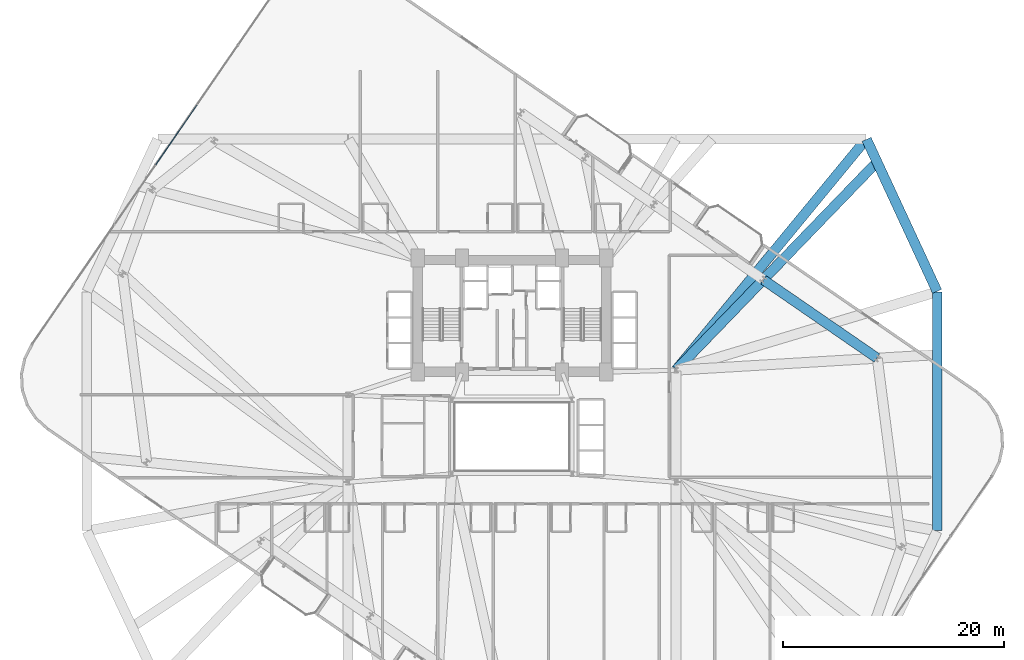
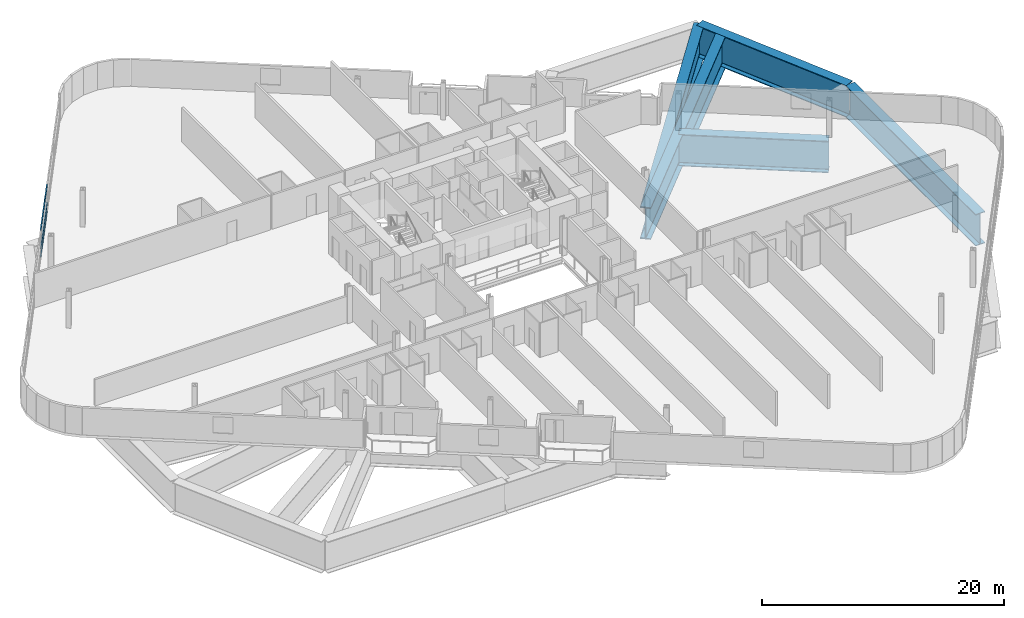
# One storey, part 13 of 26: 5 beams, 3 members, 1 element without a shape of its own.
"""IFC4 building model written with IfcOpenShell, lengths in metres."""

import ifcopenshell
import ifcopenshell.guid

model = None  # the IFC model being written
_history = None  # IfcOwnerHistory: only IFC2X3 demands one
_inside = {}  # id of a spatial element -> (the spatial element, [elements in it])
_under = {}  # id of a project, library or spatial element -> (it, [spatial elements below it])
_declared = {}  # id of a project -> (the project, [libraries it declares])
_typed = {}  # id of a type object -> (the type object, [elements of that type])
_made_of = {}  # id of a material, layer set ... -> (it, [elements and type objects made of it])


def new_model(schema):
    """Start an empty IFC model of exactly this schema.

    Asked for "IFC4X3", IfcOpenShell would pick the latest addendum, in which some entities
    have other attributes; the version numbers below select the first issue.
    IFC2X3 requires an IfcOwnerHistory on every rooted entity: one is made here for all.
    """
    global model, _history
    if schema == "IFC4X3":
        model = ifcopenshell.file(schema_version=(4, 3, 0, 0))
    else:
        model = ifcopenshell.file(schema=schema)
    _inside.clear()
    _under.clear()
    _declared.clear()
    _typed.clear()
    _made_of.clear()
    _history = None
    if model.schema == "IFC2X3":
        org = make("IfcOrganization", Name="unknown")
        user = make(
            "IfcPersonAndOrganization",
            ThePerson=make("IfcPerson", FamilyName="unknown"),
            TheOrganization=org,
        )
        app = make(
            "IfcApplication",
            ApplicationDeveloper=org,
            Version="unknown",
            ApplicationFullName="unknown",
            ApplicationIdentifier="unknown",
        )
        _history = make(
            "IfcOwnerHistory",
            OwningUser=user,
            OwningApplication=app,
            ChangeAction="ADDED",
            CreationDate=0,
        )
    return model


def make(cls, **values):
    """One entity of the class cls with the attributes given. An attribute that is None is left unset."""
    return model.create_entity(
        cls, **{name: value for name, value in values.items() if value is not None}
    )


def rooted(cls, **values):
    """An entity with a GlobalId (a new one), such as an element, a storey or a relation."""
    return make(cls, GlobalId=ifcopenshell.guid.new(), OwnerHistory=_history, **values)


def si_unit(unit_type, name, prefix=None):
    """IfcSIUnit, for example si_unit("LENGTHUNIT", "METRE", prefix="MILLI")."""
    return make("IfcSIUnit", UnitType=unit_type, Prefix=prefix, Name=name)


def assignment(units):
    """IfcUnitAssignment: the units of a project."""
    return None if units is None else make("IfcUnitAssignment", Units=units)


def point(xyz):
    """IfcCartesianPoint."""
    return None if xyz is None else make("IfcCartesianPoint", Coordinates=xyz)


def direction(xyz):
    """IfcDirection."""
    return None if xyz is None else make("IfcDirection", DirectionRatios=xyz)


def frame(location, z_axis=None, x_axis=None):
    """IfcAxis2Placement3D, a coordinate frame: its origin and axes. An axis left out is left unset."""
    return make(
        "IfcAxis2Placement3D",
        Location=point(location),
        Axis=direction(z_axis),
        RefDirection=direction(x_axis),
    )


def frame_2d(location, x_axis=None):
    """IfcAxis2Placement2D, a coordinate frame in the plane: its origin and x axis."""
    return make(
        "IfcAxis2Placement2D", Location=point(location), RefDirection=direction(x_axis)
    )


def origin():
    """The frame at (0, 0, 0) with its axes left unset."""
    return frame((0.0, 0.0, 0.0))


def origin_2d():
    """The frame at (0, 0) in the plane with its x axis left unset."""
    return frame_2d((0.0, 0.0))


def place(relative_to, where):
    """IfcLocalPlacement: puts the frame where relative to a parent placement (None: the world)."""
    return make(
        "IfcLocalPlacement", PlacementRelTo=relative_to, RelativePlacement=where
    )


def context(
    kind, dimensions, precision=None, world=None, true_north=None, identifier=None
):
    """IfcGeometricRepresentationContext, for example the 3D "Model" context."""
    return make(
        "IfcGeometricRepresentationContext",
        ContextIdentifier=identifier,
        ContextType=kind,
        CoordinateSpaceDimension=dimensions,
        Precision=precision,
        WorldCoordinateSystem=world,
        TrueNorth=true_north,
    )


def subcontext(parent, identifier, kind, view, scale=None):
    """IfcGeometricRepresentationSubContext, for example "Body" below "Model"."""
    return make(
        "IfcGeometricRepresentationSubContext",
        ContextIdentifier=identifier,
        ContextType=kind,
        ParentContext=parent,
        TargetScale=scale,
        TargetView=view,
    )


def project(units=None, contexts=None):
    """IfcProject with its units and contexts."""
    return rooted(
        "IfcProject",
        Name="project",
        RepresentationContexts=contexts,
        UnitsInContext=assignment(units),
    )


def spatial(cls, under=None, at=None, **own):
    """A site, building, storey or space (cls), placed at a placement, below another one or the project."""
    s = rooted(cls, ObjectPlacement=at, **own)
    if under is not None:
        _under.setdefault(under.id(), (under, []))[1].append(s)
    return s


def profile(cls, at=None, kind="AREA", **sizes):
    """A parametric profile (cls). Its sizes go by their IFC names, for example OverallWidth=200.0."""
    return make(cls, ProfileType=kind, Position=at, **sizes)


def hollow_rectangle(**sizes):
    """IfcRectangleHollowProfileDef."""
    return profile("IfcRectangleHollowProfileDef", **sizes)


def i_section(**sizes):
    """IfcIShapeProfileDef."""
    return profile("IfcIShapeProfileDef", **sizes)


def extrude(swept, where, along, depth):
    """IfcExtrudedAreaSolid: the profile swept, set in the frame where, extruded along a direction by depth."""
    return make(
        "IfcExtrudedAreaSolid",
        SweptArea=swept,
        Position=where,
        ExtrudedDirection=direction(along),
        Depth=depth,
    )


def shape(context_of_items, identifier, shape_type, items):
    """IfcShapeRepresentation: the items that make up one representation, for example the "Body"."""
    return make(
        "IfcShapeRepresentation",
        ContextOfItems=context_of_items,
        RepresentationIdentifier=identifier,
        RepresentationType=shape_type,
        Items=items,
    )


def material(Name=None, Category=None):
    """IfcMaterial."""
    return make("IfcMaterial", Name=Name, Category=Category)


def layer(
    of_material, thickness, ventilated=None, Name=None, Category=None, Priority=None
):
    """IfcMaterialLayer: one layer of a wall or slab, of a material (None: an air gap)."""
    return make(
        "IfcMaterialLayer",
        Material=of_material,
        LayerThickness=thickness,
        IsVentilated=ventilated,
        Name=Name,
        Category=Category,
        Priority=Priority,
    )


def layer_set(layers, Name=None):
    """IfcMaterialLayerSet."""
    return make("IfcMaterialLayerSet", MaterialLayers=layers, LayerSetName=Name)


def material_profile(
    of_material, cross_section, Name=None, Category=None, Priority=None
):
    """IfcMaterialProfile: a cross section and its material."""
    return make(
        "IfcMaterialProfile",
        Name=Name,
        Material=of_material,
        Profile=cross_section,
        Priority=Priority,
        Category=Category,
    )


def profile_set(profiles, Name=None, composite=None):
    """IfcMaterialProfileSet."""
    return make(
        "IfcMaterialProfileSet",
        Name=Name,
        MaterialProfiles=profiles,
        CompositeProfile=composite,
    )


def made_of(thing, what):
    """Note that an element or type object is made of a material, layer set ...; save() writes the relation."""
    if what is not None:
        _made_of.setdefault(what.id(), (what, []))[1].append(thing)
    return thing


def type_object(cls, material=None, **own):
    """A type object (cls), such as IfcWallType, which elements share."""
    return made_of(rooted(cls, **own), material)


def element(
    cls,
    number,
    at=None,
    inside=None,
    cuts=None,
    type_object=None,
    material=None,
    context=None,
    identifier="Body",
    shape_type=None,
    held_by="IfcProductDefinitionShape",
    body=None,
    shapes=None,
    **own,
):
    """One element of the class cls, such as IfcWall. Its Tag is "e" and its number.

    at: its placement. inside: the storey or other place that contains it. cuts: it is an
    opening in that element (IfcRelVoidsElement). A single representation is given by context,
    identifier, shape_type and body (its items); several are given by shapes. held_by: the class
    of the entity that holds the representations. save() writes the other relations.
    """
    e = rooted(cls, Tag="e%d" % number, ObjectPlacement=at, **own)
    if body is not None:
        shapes = [shape(context, identifier, shape_type, body)]
    if shapes is not None:
        e.Representation = make(held_by, Representations=shapes)
    if inside is not None:
        _inside.setdefault(inside.id(), (inside, []))[1].append(e)
    if cuts is not None:
        rooted(
            "IfcRelVoidsElement", RelatingBuildingElement=cuts, RelatedOpeningElement=e
        )
    if type_object is not None:
        _typed.setdefault(type_object.id(), (type_object, []))[1].append(e)
    return made_of(e, material)


def aggregate(whole, parts):
    """IfcRelAggregates: a whole, such as a stair, and the parts it consists of."""
    return rooted("IfcRelAggregates", RelatingObject=whole, RelatedObjects=parts)


def save(model, path):
    """Write the relations noted so far, then the file.

    IfcRelAggregates (storeys below a building ...), IfcRelContainedInSpatialStructure (elements
    in a storey), IfcRelDefinesByType, IfcRelAssociatesMaterial and IfcRelDeclares: one each for
    every whole, place, type object, material and project.
    """
    for whole, parts in _under.values():
        aggregate(whole, parts)
    for where, things in _inside.values():
        rooted(
            "IfcRelContainedInSpatialStructure",
            RelatedElements=things,
            RelatingStructure=where,
        )
    for kind, things in _typed.values():
        rooted("IfcRelDefinesByType", RelatedObjects=things, RelatingType=kind)
    for what, things in _made_of.values():
        rooted("IfcRelAssociatesMaterial", RelatedObjects=things, RelatingMaterial=what)
    for by, libraries in _declared.values():
        rooted("IfcRelDeclares", RelatingContext=by, RelatedDefinitions=libraries)
    model.write(path)


model = new_model("IFC4")

# Units and contexts
model_context = context("Model", 3, precision=1e-05, world=origin(), true_north=direction((0.0, 1.0)))
body_context = subcontext(model_context, "Body", "Model", "MODEL_VIEW")
ifc_project = project(units=[si_unit("LENGTHUNIT", "METRE"), si_unit("AREAUNIT", "SQUARE_METRE"), si_unit("VOLUMEUNIT", "CUBIC_METRE"), si_unit("PLANEANGLEUNIT", "RADIAN"), si_unit("MASSUNIT", "GRAM", prefix="KILO")], contexts=[model_context])

# Site, building, storey
site_placement = place(None, origin())
site = spatial("IfcSite", under=ifc_project, at=site_placement, CompositionType="ELEMENT")
building_placement = place(site_placement, origin())
building = spatial("IfcBuilding", under=site, at=building_placement, Name="Varnelok Gate Tower", CompositionType="ELEMENT")
storey_placement = place(building_placement, frame((0.0, 0.0, 27.0)))
storey = spatial("IfcBuildingStorey", under=building, at=storey_placement, Name="L05", CompositionType="ELEMENT", Elevation=27.0)

# Beams
ifc_material_1 = material(Name="Structural Steel ASTM A572 Grade 50", Category="steel")
ifc_material_profile_1 = material_profile(ifc_material_1, i_section(OverallWidth=0.89990234375, OverallDepth=3.199951171875, WebThickness=0.0400390625, FlangeThickness=0.074951171875, FilletRadius=0.030029296875, at=origin_2d()), Name="PG3200X900")
ifc_profile_set_1 = profile_set([ifc_material_profile_1], Name="Structural Steel ASTM A572 Grade 50")
beam_type = type_object("IfcBeamType", Name="BM-TR-PG3200", PredefinedType="BEAM", material=ifc_profile_set_1)
beam_1_placement = place(storey_placement, frame((77.60009765625, 14.43994140625, -1.85009765625), z_axis=(0.0, 1.0, 0.0), x_axis=(-1.0, 0.0, 0.0)))
element("IfcBeam", 1, at=beam_1_placement, inside=storey, type_object=beam_type, Name="L05 Transfer Support Ring Girder 5", PredefinedType="BEAM", context=body_context, shape_type="SweptSolid", body=[
    extrude(i_section(OverallWidth=0.89990234375, OverallDepth=3.199951171875, WebThickness=0.0400390625, FlangeThickness=0.074951171875, FilletRadius=0.030029296875, at=origin_2d()), origin(), (0.0, 0.0, 1.0), 21.52001953125),
])
beam_2_placement = place(storey_placement, frame((77.583251953125, 36.036376953125, -1.85009765625), z_axis=(-0.420734407832, 0.907183861225, 0.0), x_axis=(-0.907183861225, -0.420734407832, 0.0)))
element("IfcBeam", 2, at=beam_2_placement, inside=storey, type_object=beam_type, Name="L05 Transfer Support Ring Girder 6", PredefinedType="BEAM", context=body_context, shape_type="SweptSolid", body=[
    extrude(i_section(OverallWidth=0.89990234375, OverallDepth=3.199951171875, WebThickness=0.0400390625, FlangeThickness=0.074951171875, FilletRadius=0.030029296875, at=origin_2d()), origin(), (0.0, 0.0, 1.0), 15.1318359375),
])
beam_3_placement = place(storey_placement, frame((54.025390625, 28.950927734375, -1.85009765625), z_axis=(0.635814168064, 0.771842175376, 0.0), x_axis=(-0.771842175376, 0.635814168064, 0.0)))
element("IfcBeam", 3, at=beam_3_placement, inside=storey, type_object=beam_type, Name="L05 Radial Transfer Main Girder 7", PredefinedType="BEAM", context=body_context, shape_type="SweptSolid", body=[
    extrude(i_section(OverallWidth=0.89990234375, OverallDepth=3.199951171875, WebThickness=0.0400390625, FlangeThickness=0.074951171875, FilletRadius=0.030029296875, at=origin_2d()), origin(), (0.0, 0.0, 1.0), 26.971923828125),
])
beam_4_placement = place(storey_placement, frame((54.069580078125, 28.991943359375, -1.85009765625), z_axis=(0.694814486516, 0.719189008069, 0.0), x_axis=(-0.719189008069, 0.694814486516, 0.0)))
element("IfcBeam", 4, at=beam_4_placement, inside=storey, type_object=beam_type, Name="L05 Column Transfer Carrier Girder 10", PredefinedType="BEAM", context=body_context, shape_type="SweptSolid", body=[
    extrude(i_section(OverallWidth=0.89990234375, OverallDepth=3.199951171875, WebThickness=0.0400390625, FlangeThickness=0.074951171875, FilletRadius=0.030029296875, at=origin_2d()), origin(), (0.0, 0.0, 1.0), 26.042236328125),
])
beam_5_placement = place(storey_placement, frame((72.152587890625, 30.02001953125, -1.85009765625), z_axis=(-0.823535150293, 0.567265243279, 0.0), x_axis=(-0.567265243279, -0.823535150293, 0.0)))
element("IfcBeam", 5, at=beam_5_placement, inside=storey, type_object=beam_type, Name="L05 Upper Perimeter Transfer Ring 9", PredefinedType="BEAM", context=body_context, shape_type="SweptSolid", body=[
    extrude(i_section(OverallWidth=0.89990234375, OverallDepth=3.199951171875, WebThickness=0.0400390625, FlangeThickness=0.074951171875, FilletRadius=0.030029296875, at=origin_2d()), origin(), (0.0, 0.0, 1.0), 12.419921875),
])

# Curtain wall, members
ifc_material_2 = material(Name="Anodized Aluminum Alloy 6063-T6", Category="aluminium")
ifc_layer = layer(ifc_material_2, 0.179931640625)
ifc_layer_set = layer_set([ifc_layer], Name="Anodized Aluminum Alloy 6063-T6")
curtain_wall_type = type_object("IfcCurtainWallType", Name="CW3-HOTEL-VISION", PredefinedType="USERDEFINED", material=ifc_layer_set)
curtain_wall_placement = place(storey_placement, origin())
curtain_wall = element("IfcCurtainWall", 6, at=curtain_wall_placement, inside=storey, type_object=curtain_wall_type, Name="L05 West End Vision Curtain Wall", ObjectType="UNITISED CURTAIN WALL", PredefinedType="USERDEFINED")
ifc_material_profile_2 = material_profile(ifc_material_2, hollow_rectangle(XDim=0.06494140625, YDim=0.159912109375, WallThickness=0.00390625, at=origin_2d()), Name="ALU160X65X4")
ifc_profile_set_2 = profile_set([ifc_material_profile_2], Name="Anodized Aluminum Alloy 6063-T6")
member_type = type_object("IfcMemberType", Name="CW-TRAN-160", PredefinedType="USERDEFINED", material=ifc_profile_set_2)
member_1_placement = place(storey_placement, frame((7.05126953125, 47.484375, 0.032470703125), z_axis=(0.567279204469, 0.823525533409, 0.0), x_axis=(-0.823525533409, 0.567279204469, 0.0)))
member_1 = element("IfcMember", 7, at=member_1_placement, type_object=member_type, Name="CW3 transom 4.1", ObjectType="TRANSOM", PredefinedType="USERDEFINED", context=body_context, shape_type="SweptSolid", body=[
    extrude(hollow_rectangle(XDim=0.06494140625, YDim=0.159912109375, WallThickness=0.00390625, at=origin_2d()), origin(), (0.0, 0.0, 1.0), 6.501708984375),
])
member_2_placement = place(storey_placement, frame((7.05126953125, 47.484375, 0.89990234375), z_axis=(0.567279204469, 0.823525533409, 0.0), x_axis=(-0.823525533409, 0.567279204469, 0.0)))
member_2 = element("IfcMember", 8, at=member_2_placement, type_object=member_type, Name="CW3 transom 4.2", ObjectType="TRANSOM", PredefinedType="USERDEFINED", context=body_context, shape_type="SweptSolid", body=[
    extrude(hollow_rectangle(XDim=0.06494140625, YDim=0.159912109375, WallThickness=0.00390625, at=origin_2d()), origin(), (0.0, 0.0, 1.0), 6.501708984375),
])
member_3_placement = place(storey_placement, frame((7.05126953125, 47.484375, 2.697509765625), z_axis=(0.567279204469, 0.823525533409, 0.0), x_axis=(-0.823525533409, 0.567279204469, 0.0)))
member_3 = element("IfcMember", 9, at=member_3_placement, type_object=member_type, Name="CW3 transom 4.3", ObjectType="TRANSOM", PredefinedType="USERDEFINED", context=body_context, shape_type="SweptSolid", body=[
    extrude(hollow_rectangle(XDim=0.06494140625, YDim=0.159912109375, WallThickness=0.00390625, at=origin_2d()), origin(), (0.0, 0.0, 1.0), 6.501708984375),
])
aggregate(curtain_wall, [member_1, member_2, member_3])

save(model, "model.ifc")
